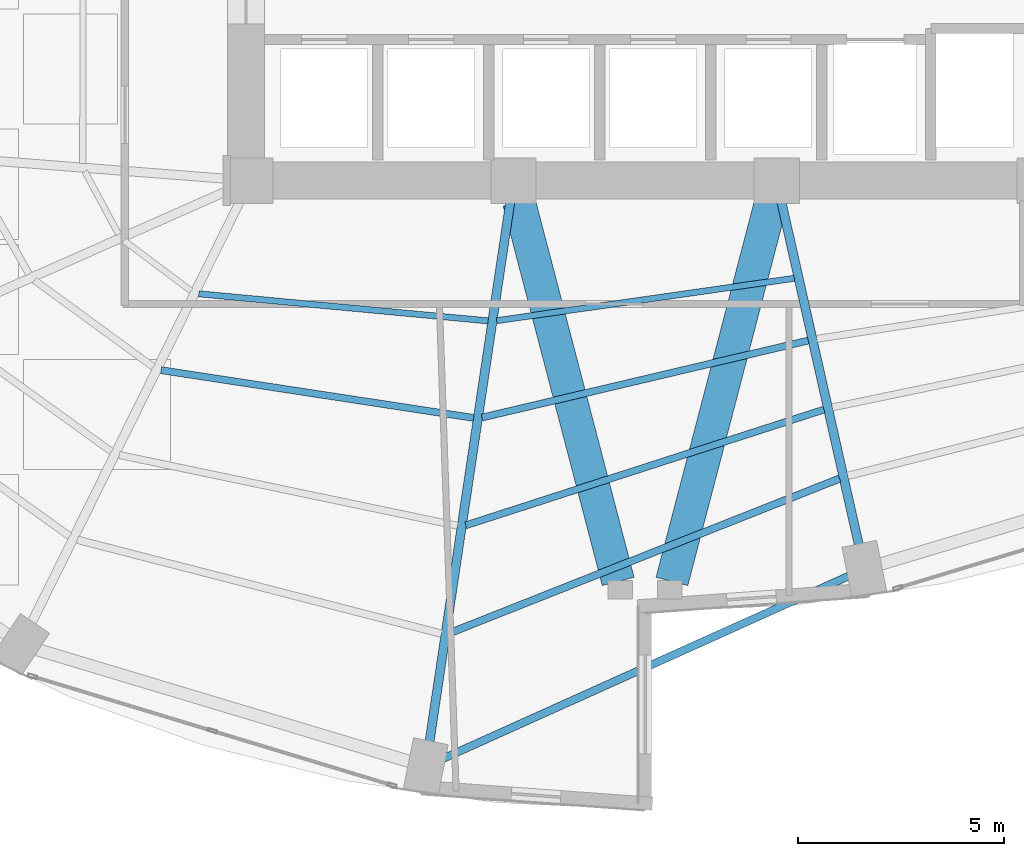
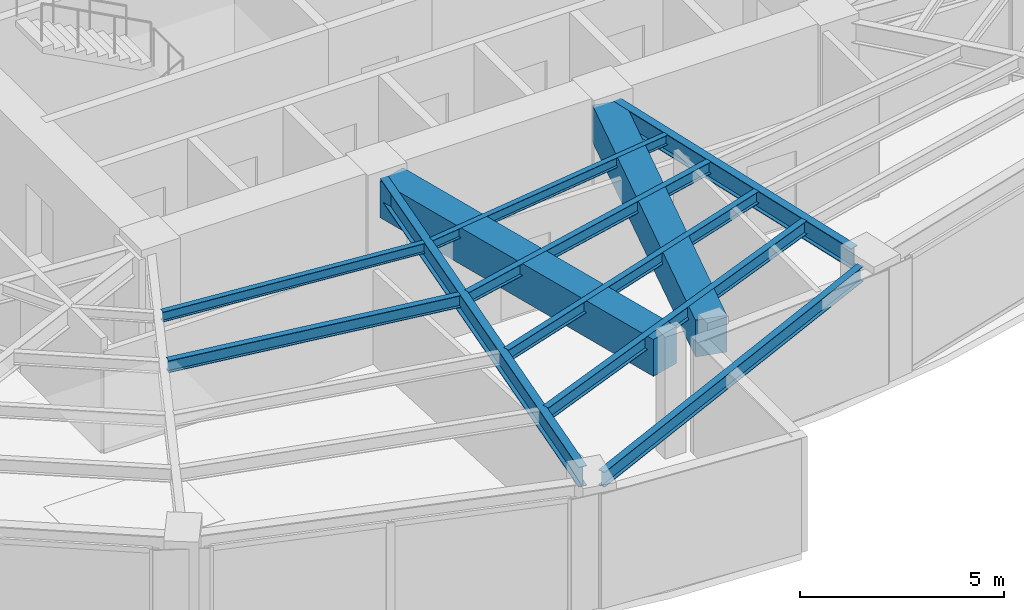
# One storey, part 6 of 24: 11 beams.
"""IFC4 building model written with IfcOpenShell, lengths in metres."""

import ifcopenshell
import ifcopenshell.guid

model = None  # the IFC model being written
_history = None  # IfcOwnerHistory: only IFC2X3 demands one
_inside = {}  # id of a spatial element -> (the spatial element, [elements in it])
_under = {}  # id of a project, library or spatial element -> (it, [spatial elements below it])
_declared = {}  # id of a project -> (the project, [libraries it declares])
_typed = {}  # id of a type object -> (the type object, [elements of that type])
_made_of = {}  # id of a material, layer set ... -> (it, [elements and type objects made of it])


def new_model(schema):
    """Start an empty IFC model of exactly this schema.

    Asked for "IFC4X3", IfcOpenShell would pick the latest addendum, in which some entities
    have other attributes; the version numbers below select the first issue.
    IFC2X3 requires an IfcOwnerHistory on every rooted entity: one is made here for all.
    """
    global model, _history
    if schema == "IFC4X3":
        model = ifcopenshell.file(schema_version=(4, 3, 0, 0))
    else:
        model = ifcopenshell.file(schema=schema)
    _inside.clear()
    _under.clear()
    _declared.clear()
    _typed.clear()
    _made_of.clear()
    _history = None
    if model.schema == "IFC2X3":
        org = make("IfcOrganization", Name="unknown")
        user = make(
            "IfcPersonAndOrganization",
            ThePerson=make("IfcPerson", FamilyName="unknown"),
            TheOrganization=org,
        )
        app = make(
            "IfcApplication",
            ApplicationDeveloper=org,
            Version="unknown",
            ApplicationFullName="unknown",
            ApplicationIdentifier="unknown",
        )
        _history = make(
            "IfcOwnerHistory",
            OwningUser=user,
            OwningApplication=app,
            ChangeAction="ADDED",
            CreationDate=0,
        )
    return model


def make(cls, **values):
    """One entity of the class cls with the attributes given. An attribute that is None is left unset."""
    return model.create_entity(
        cls, **{name: value for name, value in values.items() if value is not None}
    )


def rooted(cls, **values):
    """An entity with a GlobalId (a new one), such as an element, a storey or a relation."""
    return make(cls, GlobalId=ifcopenshell.guid.new(), OwnerHistory=_history, **values)


def si_unit(unit_type, name, prefix=None):
    """IfcSIUnit, for example si_unit("LENGTHUNIT", "METRE", prefix="MILLI")."""
    return make("IfcSIUnit", UnitType=unit_type, Prefix=prefix, Name=name)


def assignment(units):
    """IfcUnitAssignment: the units of a project."""
    return None if units is None else make("IfcUnitAssignment", Units=units)


def point(xyz):
    """IfcCartesianPoint."""
    return None if xyz is None else make("IfcCartesianPoint", Coordinates=xyz)


def direction(xyz):
    """IfcDirection."""
    return None if xyz is None else make("IfcDirection", DirectionRatios=xyz)


def frame(location, z_axis=None, x_axis=None):
    """IfcAxis2Placement3D, a coordinate frame: its origin and axes. An axis left out is left unset."""
    return make(
        "IfcAxis2Placement3D",
        Location=point(location),
        Axis=direction(z_axis),
        RefDirection=direction(x_axis),
    )


def frame_2d(location, x_axis=None):
    """IfcAxis2Placement2D, a coordinate frame in the plane: its origin and x axis."""
    return make(
        "IfcAxis2Placement2D", Location=point(location), RefDirection=direction(x_axis)
    )


def origin():
    """The frame at (0, 0, 0) with its axes left unset."""
    return frame((0.0, 0.0, 0.0))


def origin_2d():
    """The frame at (0, 0) in the plane with its x axis left unset."""
    return frame_2d((0.0, 0.0))


def place(relative_to, where):
    """IfcLocalPlacement: puts the frame where relative to a parent placement (None: the world)."""
    return make(
        "IfcLocalPlacement", PlacementRelTo=relative_to, RelativePlacement=where
    )


def context(
    kind, dimensions, precision=None, world=None, true_north=None, identifier=None
):
    """IfcGeometricRepresentationContext, for example the 3D "Model" context."""
    return make(
        "IfcGeometricRepresentationContext",
        ContextIdentifier=identifier,
        ContextType=kind,
        CoordinateSpaceDimension=dimensions,
        Precision=precision,
        WorldCoordinateSystem=world,
        TrueNorth=true_north,
    )


def subcontext(parent, identifier, kind, view, scale=None):
    """IfcGeometricRepresentationSubContext, for example "Body" below "Model"."""
    return make(
        "IfcGeometricRepresentationSubContext",
        ContextIdentifier=identifier,
        ContextType=kind,
        ParentContext=parent,
        TargetScale=scale,
        TargetView=view,
    )


def project(units=None, contexts=None):
    """IfcProject with its units and contexts."""
    return rooted(
        "IfcProject",
        Name="project",
        RepresentationContexts=contexts,
        UnitsInContext=assignment(units),
    )


def spatial(cls, under=None, at=None, **own):
    """A site, building, storey or space (cls), placed at a placement, below another one or the project."""
    s = rooted(cls, ObjectPlacement=at, **own)
    if under is not None:
        _under.setdefault(under.id(), (under, []))[1].append(s)
    return s


def profile(cls, at=None, kind="AREA", **sizes):
    """A parametric profile (cls). Its sizes go by their IFC names, for example OverallWidth=200.0."""
    return make(cls, ProfileType=kind, Position=at, **sizes)


def rectangle(**sizes):
    """IfcRectangleProfileDef."""
    return profile("IfcRectangleProfileDef", **sizes)


def i_section(**sizes):
    """IfcIShapeProfileDef."""
    return profile("IfcIShapeProfileDef", **sizes)


def extrude(swept, where, along, depth):
    """IfcExtrudedAreaSolid: the profile swept, set in the frame where, extruded along a direction by depth."""
    return make(
        "IfcExtrudedAreaSolid",
        SweptArea=swept,
        Position=where,
        ExtrudedDirection=direction(along),
        Depth=depth,
    )


def shape(context_of_items, identifier, shape_type, items):
    """IfcShapeRepresentation: the items that make up one representation, for example the "Body"."""
    return make(
        "IfcShapeRepresentation",
        ContextOfItems=context_of_items,
        RepresentationIdentifier=identifier,
        RepresentationType=shape_type,
        Items=items,
    )


def material(Name=None, Category=None):
    """IfcMaterial."""
    return make("IfcMaterial", Name=Name, Category=Category)


def material_profile(
    of_material, cross_section, Name=None, Category=None, Priority=None
):
    """IfcMaterialProfile: a cross section and its material."""
    return make(
        "IfcMaterialProfile",
        Name=Name,
        Material=of_material,
        Profile=cross_section,
        Priority=Priority,
        Category=Category,
    )


def profile_set(profiles, Name=None, composite=None):
    """IfcMaterialProfileSet."""
    return make(
        "IfcMaterialProfileSet",
        Name=Name,
        MaterialProfiles=profiles,
        CompositeProfile=composite,
    )


def made_of(thing, what):
    """Note that an element or type object is made of a material, layer set ...; save() writes the relation."""
    if what is not None:
        _made_of.setdefault(what.id(), (what, []))[1].append(thing)
    return thing


def type_object(cls, material=None, **own):
    """A type object (cls), such as IfcWallType, which elements share."""
    return made_of(rooted(cls, **own), material)


def element(
    cls,
    number,
    at=None,
    inside=None,
    cuts=None,
    type_object=None,
    material=None,
    context=None,
    identifier="Body",
    shape_type=None,
    held_by="IfcProductDefinitionShape",
    body=None,
    shapes=None,
    **own,
):
    """One element of the class cls, such as IfcWall. Its Tag is "e" and its number.

    at: its placement. inside: the storey or other place that contains it. cuts: it is an
    opening in that element (IfcRelVoidsElement). A single representation is given by context,
    identifier, shape_type and body (its items); several are given by shapes. held_by: the class
    of the entity that holds the representations. save() writes the other relations.
    """
    e = rooted(cls, Tag="e%d" % number, ObjectPlacement=at, **own)
    if body is not None:
        shapes = [shape(context, identifier, shape_type, body)]
    if shapes is not None:
        e.Representation = make(held_by, Representations=shapes)
    if inside is not None:
        _inside.setdefault(inside.id(), (inside, []))[1].append(e)
    if cuts is not None:
        rooted(
            "IfcRelVoidsElement", RelatingBuildingElement=cuts, RelatedOpeningElement=e
        )
    if type_object is not None:
        _typed.setdefault(type_object.id(), (type_object, []))[1].append(e)
    return made_of(e, material)


def aggregate(whole, parts):
    """IfcRelAggregates: a whole, such as a stair, and the parts it consists of."""
    return rooted("IfcRelAggregates", RelatingObject=whole, RelatedObjects=parts)


def save(model, path):
    """Write the relations noted so far, then the file.

    IfcRelAggregates (storeys below a building ...), IfcRelContainedInSpatialStructure (elements
    in a storey), IfcRelDefinesByType, IfcRelAssociatesMaterial and IfcRelDeclares: one each for
    every whole, place, type object, material and project.
    """
    for whole, parts in _under.values():
        aggregate(whole, parts)
    for where, things in _inside.values():
        rooted(
            "IfcRelContainedInSpatialStructure",
            RelatedElements=things,
            RelatingStructure=where,
        )
    for kind, things in _typed.values():
        rooted("IfcRelDefinesByType", RelatedObjects=things, RelatingType=kind)
    for what, things in _made_of.values():
        rooted("IfcRelAssociatesMaterial", RelatedObjects=things, RelatingMaterial=what)
    for by, libraries in _declared.values():
        rooted("IfcRelDeclares", RelatingContext=by, RelatedDefinitions=libraries)
    model.write(path)


model = new_model("IFC4")

# Units and contexts
model_context = context("Model", 3, precision=1e-05, world=origin(), true_north=direction((0.0, 1.0)))
body_context = subcontext(model_context, "Body", "Model", "MODEL_VIEW")
ifc_project = project(units=[si_unit("LENGTHUNIT", "METRE"), si_unit("AREAUNIT", "SQUARE_METRE"), si_unit("VOLUMEUNIT", "CUBIC_METRE"), si_unit("PLANEANGLEUNIT", "RADIAN"), si_unit("MASSUNIT", "GRAM", prefix="KILO")], contexts=[model_context])

# Site, building, storey
site_placement = place(None, origin())
site = spatial("IfcSite", under=ifc_project, at=site_placement, CompositionType="ELEMENT")
building_placement = place(site_placement, origin())
building = spatial("IfcBuilding", under=site, at=building_placement, Name="Lazwardi Medical Tower", CompositionType="ELEMENT")
storey_placement = place(building_placement, frame((0.0, 0.0, 54.384033203125)))
storey = spatial("IfcBuildingStorey", under=building, at=storey_placement, Name="L13", CompositionType="ELEMENT", Elevation=54.384033203125)

# Beams
ifc_material_1 = material(Name="Concrete C70/85", Category="concrete")
ifc_material_profile_1 = material_profile(ifc_material_1, rectangle(XDim=0.800048828125, YDim=1.10009765625, at=origin_2d()), Name="RC 800x1100")
ifc_profile_set_1 = profile_set([ifc_material_profile_1], Name="Concrete C70/85")
beam_type_1 = type_object("IfcBeamType", Name="BM-CB-RC1", PredefinedType="LINTEL", material=ifc_profile_set_1)
for number, where, z_axis, x_axis, name in (
    (1, (32.935302734375, 19.88232421875, 2.8779296875), (0.252819877511, -0.967513364009, 0.0), (0.967513364009, 0.252819877511, 0.0), "Core coupling lintel CB-01 PL3 L13"),
    (2, (39.064697265625, 19.88232421875, 2.8779296875), (-0.252819877511, -0.967513364009, 0.0), (0.967513364009, -0.252819877511, 0.0), "Core coupling lintel CB-01 PL4 L13"),
):
    element("IfcBeam", number, at=place(storey_placement, frame(where, z_axis=z_axis, x_axis=x_axis)), inside=storey, type_object=beam_type_1, Name=name, PredefinedType="LINTEL", context=body_context, shape_type="SweptSolid", body=[
        extrude(rectangle(XDim=0.800048828125, YDim=1.10009765625, at=origin_2d()), origin(), (0.0, 0.0, 1.0), 9.538818359375),
    ])
ifc_material_2 = material(Name="Steel S355", Category="steel")
ifc_material_profile_2 = material_profile(ifc_material_2, i_section(OverallWidth=0.219970703125, OverallDepth=0.60009765625, WebThickness=0.011962890625, FlangeThickness=0.01904296875, at=origin_2d()), Name="IPE 600")
ifc_profile_set_2 = profile_set([ifc_material_profile_2], Name="Steel S355")
beam_type_2 = type_object("IfcBeamType", Name="BM-RG-W1", PredefinedType="BEAM", material=ifc_profile_set_2)
beam_1_placement = place(storey_placement, frame((41.203125, 11.521728515625, 3.1279296875), z_axis=(-0.22010079219, 0.975477135189, 0.0), x_axis=(-0.975477135189, -0.22010079219, 0.0)))
element("IfcBeam", 3, at=beam_1_placement, inside=storey, type_object=beam_type_2, Name="Radial girder RG-02 R01 L13", PredefinedType="BEAM", context=body_context, shape_type="SweptSolid", body=[
    extrude(i_section(OverallWidth=0.219970703125, OverallDepth=0.60009765625, WebThickness=0.011962890625, FlangeThickness=0.01904296875, at=origin_2d()), origin(), (0.0, 0.0, 1.0), 8.56640625),
])
beam_2_placement = place(storey_placement, frame((30.7548828125, 6.7294921875, 3.1279296875), z_axis=(0.147944218183, 0.98899570692, 0.0), x_axis=(-0.98899570692, 0.147944218183, 0.0)))
element("IfcBeam", 4, at=beam_2_placement, inside=storey, type_object=beam_type_2, Name="Radial girder RG-02 R16 L13", PredefinedType="BEAM", context=body_context, shape_type="SweptSolid", body=[
    extrude(i_section(OverallWidth=0.219970703125, OverallDepth=0.60009765625, WebThickness=0.011962890625, FlangeThickness=0.01904296875, at=origin_2d()), origin(), (0.0, 0.0, 1.0), 13.28759765625),
])
ifc_material_profile_3 = material_profile(ifc_material_2, i_section(OverallWidth=0.179931640625, OverallDepth=0.39990234375, WebThickness=0.008544921875, FlangeThickness=0.013427734375, at=origin_2d()), Name="IPE 400")
ifc_profile_set_3 = profile_set([ifc_material_profile_3], Name="Steel S355")
beam_type_3 = type_object("IfcBeamType", Name="BM-SJ-01", PredefinedType="JOIST", material=ifc_profile_set_3)
beam_3_placement = place(storey_placement, frame((31.245849609375, 9.396484375, 3.22802734375), z_axis=(0.929663713752, 0.368409255222, 0.0), x_axis=(-0.368409255222, 0.929663713752, 0.0)))
element("IfcBeam", 5, at=beam_3_placement, inside=storey, type_object=beam_type_3, Name="Secondary joist SJ-01 R1 B16 L13", PredefinedType="JOIST", context=body_context, shape_type="SweptSolid", body=[
    extrude(i_section(OverallWidth=0.179931640625, OverallDepth=0.39990234375, WebThickness=0.008544921875, FlangeThickness=0.013427734375, at=origin_2d()), origin(), (0.0, 0.0, 1.0), 10.2001953125),
])
ifc_material_profile_4 = material_profile(ifc_material_2, i_section(OverallWidth=0.169921875, OverallDepth=0.360107421875, WebThickness=0.008056640625, FlangeThickness=0.0126953125, at=origin_2d()), Name="IPE 360")
ifc_profile_set_4 = profile_set([ifc_material_profile_4], Name="Steel S355")
beam_type_4 = type_object("IfcBeamType", Name="BM-SJ-02", PredefinedType="JOIST", material=ifc_profile_set_4)
beam_4_placement = place(storey_placement, frame((31.64111328125, 12.018310546875, 3.248046875), z_axis=(0.951558895485, 0.307466532199, 0.0), x_axis=(-0.307466532199, 0.951558895485, 0.0)))
element("IfcBeam", 6, at=beam_4_placement, inside=storey, type_object=beam_type_4, Name="Secondary joist SJ-02 R2 B16 L13", PredefinedType="JOIST", context=body_context, shape_type="SweptSolid", body=[
    extrude(i_section(OverallWidth=0.169921875, OverallDepth=0.360107421875, WebThickness=0.008056640625, FlangeThickness=0.0126953125, at=origin_2d()), origin(), (0.0, 0.0, 1.0), 9.1513671875),
])
beam_5_placement = place(storey_placement, frame((24.23193359375, 15.790771484375, 3.248046875), z_axis=(0.988535611365, -0.150987897074, 0.0), x_axis=(0.150987897074, 0.988535611365, 0.0)))
element("IfcBeam", 7, at=beam_5_placement, inside=storey, type_object=beam_type_4, Name="Secondary joist SJ-02 R3 B15 L13", PredefinedType="JOIST", context=body_context, shape_type="SweptSolid", body=[
    extrude(i_section(OverallWidth=0.169921875, OverallDepth=0.360107421875, WebThickness=0.008056640625, FlangeThickness=0.0126953125, at=origin_2d()), origin(), (0.0, 0.0, 1.0), 7.68701171875),
])
beam_6_placement = place(storey_placement, frame((32.03662109375, 14.638427734375, 3.248046875), z_axis=(0.973240904247, 0.229787167397, 0.0), x_axis=(-0.229787167397, 0.973240904247, 0.0)))
element("IfcBeam", 8, at=beam_6_placement, inside=storey, type_object=beam_type_4, Name="Secondary joist SJ-02 R3 B16 L13", PredefinedType="JOIST", context=body_context, shape_type="SweptSolid", body=[
    extrude(i_section(OverallWidth=0.169921875, OverallDepth=0.360107421875, WebThickness=0.008056640625, FlangeThickness=0.0126953125, at=origin_2d()), origin(), (0.0, 0.0, 1.0), 8.151123046875),
])
ifc_material_profile_5 = material_profile(ifc_material_2, i_section(OverallWidth=0.14990234375, OverallDepth=0.300048828125, WebThickness=0.007080078125, FlangeThickness=0.0107421875, at=origin_2d()), Name="IPE 300")
ifc_profile_set_5 = profile_set([ifc_material_profile_5], Name="Steel S355")
beam_type_5 = type_object("IfcBeamType", Name="BM-SJ-03", PredefinedType="JOIST", material=ifc_profile_set_5)
beam_7_placement = place(storey_placement, frame((25.148193359375, 17.64794921875, 3.278076171875), z_axis=(0.995649263748, -0.093180167407, 0.0), x_axis=(0.093180167407, 0.995649263748, 0.0)))
element("IfcBeam", 9, at=beam_7_placement, inside=storey, type_object=beam_type_5, Name="Secondary joist SJ-03 R4 B15 L13", PredefinedType="JOIST", context=body_context, shape_type="SweptSolid", body=[
    extrude(i_section(OverallWidth=0.14990234375, OverallDepth=0.300048828125, WebThickness=0.007080078125, FlangeThickness=0.0107421875, at=origin_2d()), origin(), (0.0, 0.0, 1.0), 7.06640625),
])
beam_8_placement = place(storey_placement, frame((32.392333984375, 16.99462890625, 3.278076171875), z_axis=(0.99001552228, 0.140958382672, 0.0), x_axis=(-0.140958382672, 0.99001552228, 0.0)))
element("IfcBeam", 10, at=beam_8_placement, inside=storey, type_object=beam_type_5, Name="Secondary joist SJ-03 R4 B16 L13", PredefinedType="JOIST", context=body_context, shape_type="SweptSolid", body=[
    extrude(i_section(OverallWidth=0.14990234375, OverallDepth=0.300048828125, WebThickness=0.007080078125, FlangeThickness=0.0107421875, at=origin_2d()), origin(), (0.0, 0.0, 1.0), 7.30908203125),
])
ifc_material_profile_6 = material_profile(ifc_material_2, i_section(OverallWidth=0.18994140625, OverallDepth=0.449951171875, WebThickness=0.009521484375, FlangeThickness=0.0146484375, at=origin_2d()), Name="IPE 450")
ifc_profile_set_6 = profile_set([ifc_material_profile_6], Name="Steel S355")
beam_type_6 = type_object("IfcBeamType", Name="BM-SP-01", PredefinedType="SPANDREL", material=ifc_profile_set_6)
beam_9_placement = place(storey_placement, frame((31.05224609375, 6.328369140625, 3.202880859375), z_axis=(0.91184908894, 0.410525564368, 0.0), x_axis=(-0.410525564368, 0.91184908894, 0.0)))
element("IfcBeam", 11, at=beam_9_placement, inside=storey, type_object=beam_type_6, Name="Spandrel beam SP-01 B16 L13", PredefinedType="SPANDREL", context=body_context, shape_type="SweptSolid", body=[
    extrude(i_section(OverallWidth=0.18994140625, OverallDepth=0.449951171875, WebThickness=0.009521484375, FlangeThickness=0.0146484375, at=origin_2d()), origin(), (0.0, 0.0, 1.0), 10.85205078125),
])

save(model, "model.ifc")
